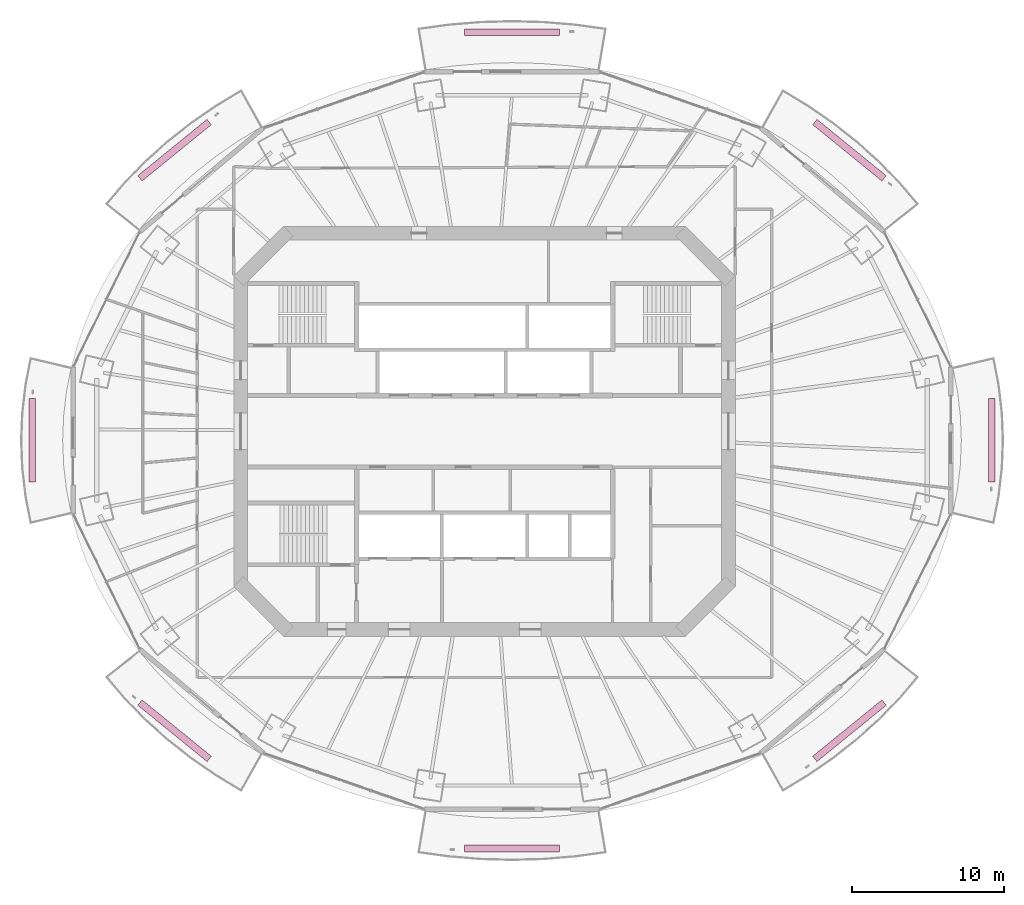
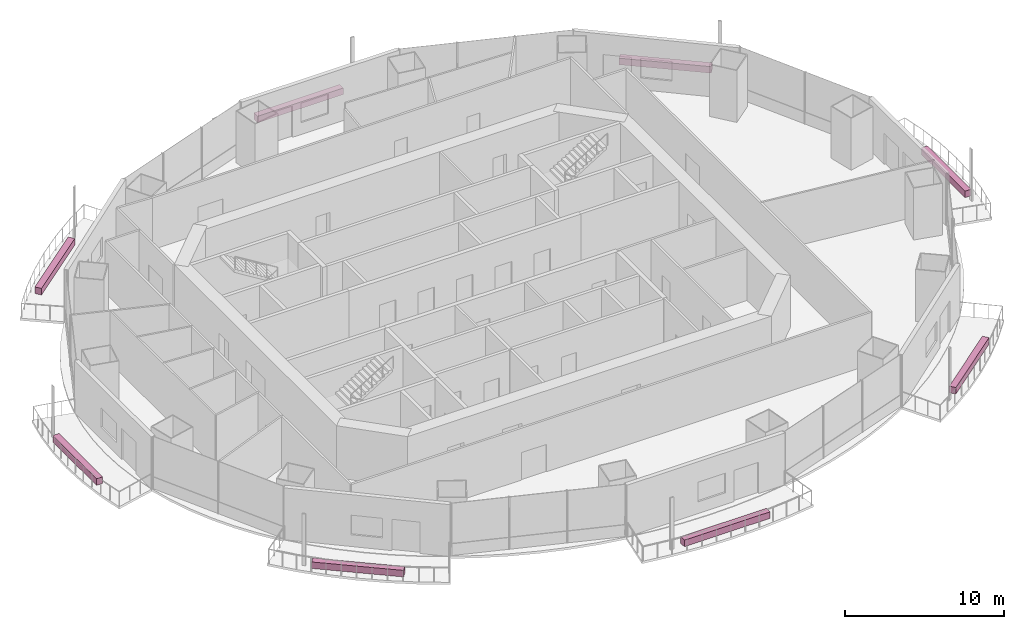
# One storey, part 18 of 18: 8 furnishings.
"""IFC4 building model written with IfcOpenShell, lengths in metres."""

from ifc_helpers import new_model, si_unit, direction, frame, origin, origin_2d, place, context, subcontext, project, spatial, rectangle, extrude, material, type_object, element, save


model = new_model("IFC4")

# Units and contexts
model_context = context("Model", 3, precision=1e-05, world=origin(), true_north=direction((0.0, 1.0)))
body_context = subcontext(model_context, "Body", "Model", "MODEL_VIEW")
ifc_project = project(units=[si_unit("LENGTHUNIT", "METRE"), si_unit("AREAUNIT", "SQUARE_METRE"), si_unit("VOLUMEUNIT", "CUBIC_METRE"), si_unit("PLANEANGLEUNIT", "RADIAN"), si_unit("MASSUNIT", "GRAM", prefix="KILO")], contexts=[model_context])

# Site, building, storey
site_placement = place(None, origin())
site = spatial("IfcSite", under=ifc_project, at=site_placement, CompositionType="ELEMENT")
building_placement = place(site_placement, origin())
building = spatial("IfcBuilding", under=site, at=building_placement, Name="Marenthal Gate Tower", CompositionType="ELEMENT")
storey_placement = place(building_placement, frame((0.0, 0.0, 260.64990234375)))
storey = spatial("IfcBuildingStorey", under=building, at=storey_placement, Name="L58", CompositionType="ELEMENT", Elevation=260.64990234375)

# Furnishings
ifc_material = material(Name="Planting soil and foliage", Category="planting")
furnishing_element_type = type_object("IfcFurnishingElementType", Name="Balcony PLANTER trough", material=ifc_material)
furnishing_1_placement = place(storey_placement, frame((23.93994140625, 18.446533203125, -0.039794921875), z_axis=(0.0, 0.0, 1.0), x_axis=(-0.775556894314, 0.631277675577, 0.0)))
element("IfcFurnishingElement", 1, at=furnishing_1_placement, inside=storey, type_object=furnishing_element_type, Name="Balcony PLANTER L58 bay 2", ObjectType="PLANTER", context=body_context, shape_type="SweptSolid", body=[
    extrude(rectangle(XDim=5.8525390625, YDim=0.449951171875, at=origin_2d()), origin(), (0.0, 0.0, 1.0), 0.5),
])
furnishing_2_placement = place(storey_placement, frame((1.800048828125, 26.18310546875, -0.039794921875), z_axis=(0.0, 0.0, 1.0), x_axis=(-1.0, 0.0, 0.0)))
element("IfcFurnishingElement", 2, at=furnishing_2_placement, inside=storey, type_object=furnishing_element_type, Name="Balcony PLANTER L58 bay 4", ObjectType="PLANTER", context=body_context, shape_type="SweptSolid", body=[
    extrude(rectangle(XDim=6.21337890625, YDim=0.449951171875, at=origin_2d()), origin(), (0.0, 0.0, 1.0), 0.5),
])
furnishing_3_placement = place(storey_placement, frame((-20.340087890625, 18.446533203125, -0.039794921875), z_axis=(0.0, 0.0, 1.0), x_axis=(-0.775556894314, -0.631277675577, 0.0)))
element("IfcFurnishingElement", 3, at=furnishing_3_placement, inside=storey, type_object=furnishing_element_type, Name="Balcony PLANTER L58 bay 6", ObjectType="PLANTER", context=body_context, shape_type="SweptSolid", body=[
    extrude(rectangle(XDim=5.8525390625, YDim=0.449951171875, at=origin_2d()), origin(), (0.0, 0.0, 1.0), 0.5),
])
furnishing_4_placement = place(storey_placement, frame((-29.676025390625, -0.60009765625, -0.039794921875), z_axis=(0.0, 0.0, 1.0), x_axis=(0.0, -1.0, 0.0)))
element("IfcFurnishingElement", 4, at=furnishing_4_placement, inside=storey, type_object=furnishing_element_type, Name="Balcony PLANTER L58 bay 8", ObjectType="PLANTER", context=body_context, shape_type="SweptSolid", body=[
    extrude(rectangle(XDim=5.48046875, YDim=0.449951171875, at=origin_2d()), origin(), (0.0, 0.0, 1.0), 0.5),
])
furnishing_5_placement = place(storey_placement, frame((-20.340087890625, -19.646484375, -0.039794921875), z_axis=(0.0, 0.0, 1.0), x_axis=(0.775556894314, -0.631277675577, 0.0)))
element("IfcFurnishingElement", 5, at=furnishing_5_placement, inside=storey, type_object=furnishing_element_type, Name="Balcony PLANTER L58 bay 10", ObjectType="PLANTER", context=body_context, shape_type="SweptSolid", body=[
    extrude(rectangle(XDim=5.8525390625, YDim=0.449951171875, at=origin_2d()), origin(), (0.0, 0.0, 1.0), 0.5),
])
furnishing_6_placement = place(storey_placement, frame((1.800048828125, -27.383056640625, -0.039794921875), z_axis=(0.0, 0.0, 1.0), x_axis=(1.0, 0.0, 0.0)))
element("IfcFurnishingElement", 6, at=furnishing_6_placement, inside=storey, type_object=furnishing_element_type, Name="Balcony PLANTER L58 bay 12", ObjectType="PLANTER", context=body_context, shape_type="SweptSolid", body=[
    extrude(rectangle(XDim=6.21337890625, YDim=0.449951171875, at=origin_2d()), origin(), (0.0, 0.0, 1.0), 0.5),
])
furnishing_7_placement = place(storey_placement, frame((23.93994140625, -19.646484375, -0.039794921875), z_axis=(0.0, 0.0, 1.0), x_axis=(0.775556894314, 0.631277675577, 0.0)))
element("IfcFurnishingElement", 7, at=furnishing_7_placement, inside=storey, type_object=furnishing_element_type, Name="Balcony PLANTER L58 bay 14", ObjectType="PLANTER", context=body_context, shape_type="SweptSolid", body=[
    extrude(rectangle(XDim=5.8525390625, YDim=0.449951171875, at=origin_2d()), origin(), (0.0, 0.0, 1.0), 0.5),
])
furnishing_8_placement = place(storey_placement, frame((33.27587890625, -0.60009765625, -0.039794921875), z_axis=(0.0, 0.0, 1.0), x_axis=(0.0, 1.0, 0.0)))
element("IfcFurnishingElement", 8, at=furnishing_8_placement, inside=storey, type_object=furnishing_element_type, Name="Balcony PLANTER L58 bay 16", ObjectType="PLANTER", context=body_context, shape_type="SweptSolid", body=[
    extrude(rectangle(XDim=5.48046875, YDim=0.449951171875, at=origin_2d()), origin(), (0.0, 0.0, 1.0), 0.5),
])

save(model, "model.ifc")
